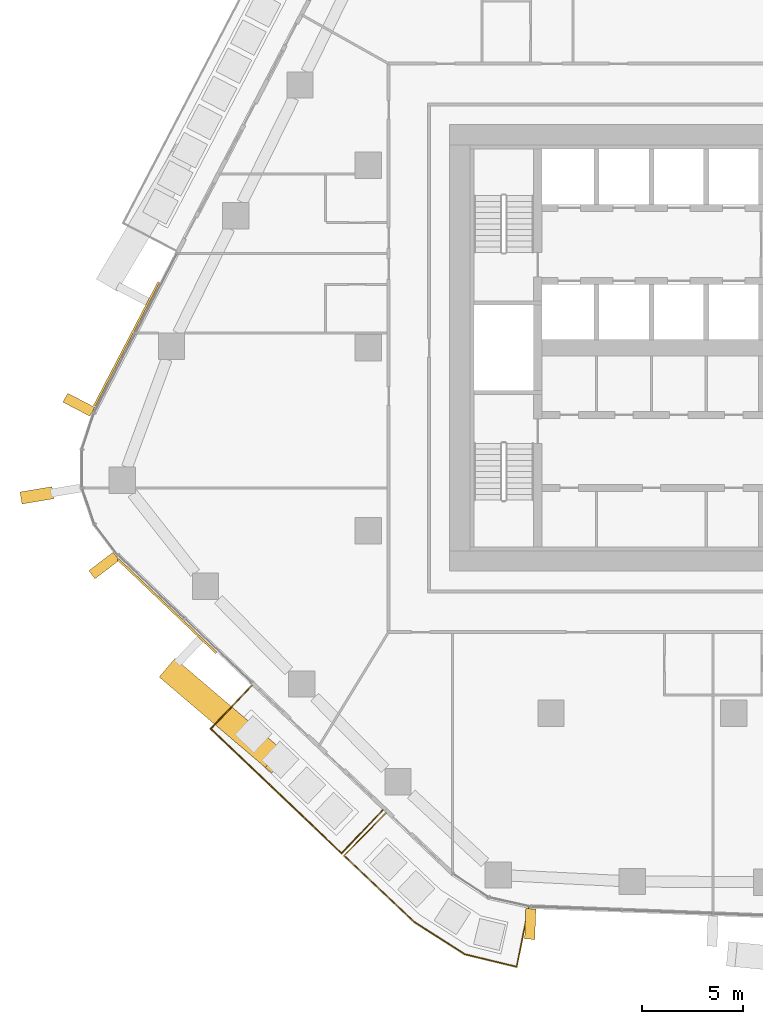
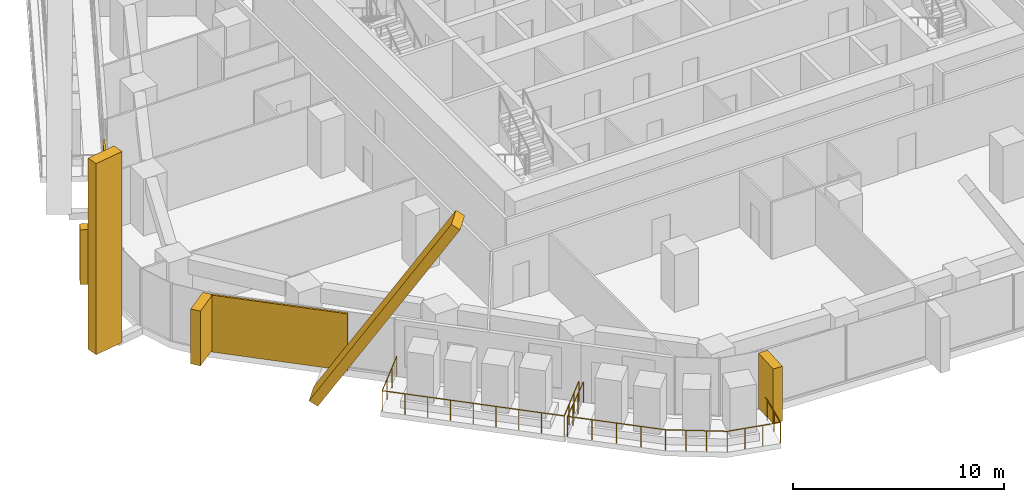
# One storey, part 18 of 24: 7 coverings, 2 railings, 4 elements without a shape of their own.
"""IFC4 building model written with IfcOpenShell, lengths in metres."""

from ifc_helpers import new_model, si_unit, direction, frame, origin, origin_2d, place, context, subcontext, project, spatial, rectangle, circle, extrude, material, layer, layer_set, material_profile, profile_set, type_object, element, aggregate, save


model = new_model("IFC4")

# Units and contexts
model_context = context("Model", 3, precision=1e-05, world=origin(), true_north=direction((0.0, 1.0)))
body_context = subcontext(model_context, "Body", "Model", "MODEL_VIEW")
ifc_project = project(units=[si_unit("LENGTHUNIT", "METRE"), si_unit("AREAUNIT", "SQUARE_METRE"), si_unit("VOLUMEUNIT", "CUBIC_METRE"), si_unit("PLANEANGLEUNIT", "RADIAN"), si_unit("MASSUNIT", "GRAM", prefix="KILO")], contexts=[model_context])

# Site, building, storey
site_placement = place(None, origin())
site = spatial("IfcSite", under=ifc_project, at=site_placement, CompositionType="ELEMENT")
building_placement = place(site_placement, origin())
building = spatial("IfcBuilding", under=site, at=building_placement, Name="Dongbaek Canopy Tower", CompositionType="ELEMENT")
storey_placement = place(building_placement, frame((0.0, 0.0, 128.5)))
storey = spatial("IfcBuildingStorey", under=building, at=storey_placement, Name="L28", CompositionType="ELEMENT", Elevation=128.5)

# Railings
ifc_material_1 = material(Name="Stainless steel", Category="steel")
railing_type = type_object("IfcRailingType", Name="Balcony balustrade 1200", PredefinedType="BALUSTRADE", material=ifc_material_1)
railing_1_placement = place(storey_placement, frame((-23.730712890625, -16.632568359375, 0.0)))
element("IfcRailing", 1, at=railing_1_placement, inside=storey, type_object=railing_type, Name="Balcony guard L28 3", PredefinedType="BALUSTRADE", context=body_context, shape_type="SweptSolid", body=[
    extrude(circle(Radius=0.02392578125, at=origin_2d()), frame((0.0, 0.0, 1.17578125), z_axis=(-0.689325404466, -0.724451852615, 0.0), x_axis=(0.724451852615, -0.689325404466, 0.0)), (0.0, 0.0, 1.0), 2.93994140625),
    extrude(circle(Radius=0.02392578125, at=origin_2d()), frame((-2.026611328125, -2.1298828125, 1.17578125), z_axis=(0.724466132489, -0.689310396611, 0.0), x_axis=(0.689310396611, 0.724466132489, 0.0)), (0.0, 0.0, 1.0), 8.89599609375),
    extrude(circle(Radius=0.02392578125, at=origin_2d()), frame((4.418212890625, -8.261962890625, 1.17578125), z_axis=(0.689283936438, 0.724491307725, 0.0), x_axis=(-0.724491307725, 0.689283936438, 0.0)), (0.0, 0.0, 1.0), 2.940185546875),
    extrude(circle(Radius=0.02099609375, at=origin_2d()), origin(), (0.0, 0.0, 1.0), 1.15185546875),
    extrude(circle(Radius=0.02099609375, at=origin_2d()), frame((-0.675537109375, -0.7099609375, 0.0)), (0.0, 0.0, 1.0), 1.15185546875),
    extrude(circle(Radius=0.02099609375, at=origin_2d()), frame((-1.35107421875, -1.419921875, 0.0)), (0.0, 0.0, 1.0), 1.15185546875),
    extrude(circle(Radius=0.02099609375, at=origin_2d()), frame((-2.026611328125, -2.1298828125, 0.0)), (0.0, 0.0, 1.0), 1.15185546875),
    extrude(circle(Radius=0.02099609375, at=origin_2d()), frame((-1.220947265625, -2.896484375, 0.0)), (0.0, 0.0, 1.0), 1.15185546875),
    extrude(circle(Radius=0.02099609375, at=origin_2d()), frame((-0.41552734375, -3.662841796875, 0.0)), (0.0, 0.0, 1.0), 1.15185546875),
    extrude(circle(Radius=0.02099609375, at=origin_2d()), frame((0.39013671875, -4.429443359375, 0.0)), (0.0, 0.0, 1.0), 1.15185546875),
    extrude(circle(Radius=0.02099609375, at=origin_2d()), frame((1.19580078125, -5.19580078125, 0.0)), (0.0, 0.0, 1.0), 1.15185546875),
    extrude(circle(Radius=0.02099609375, at=origin_2d()), frame((2.00146484375, -5.96240234375, 0.0)), (0.0, 0.0, 1.0), 1.15185546875),
    extrude(circle(Radius=0.02099609375, at=origin_2d()), frame((2.80712890625, -6.72900390625, 0.0)), (0.0, 0.0, 1.0), 1.15185546875),
    extrude(circle(Radius=0.02099609375, at=origin_2d()), frame((3.612548828125, -7.495361328125, 0.0)), (0.0, 0.0, 1.0), 1.15185546875),
    extrude(circle(Radius=0.02099609375, at=origin_2d()), frame((4.418212890625, -8.261962890625, 0.0)), (0.0, 0.0, 1.0), 1.15185546875),
    extrude(circle(Radius=0.02099609375, at=origin_2d()), frame((5.09375, -7.552001953125, 0.0)), (0.0, 0.0, 1.0), 1.15185546875),
    extrude(circle(Radius=0.02099609375, at=origin_2d()), frame((5.769287109375, -6.841796875, 0.0)), (0.0, 0.0, 1.0), 1.15185546875),
    extrude(circle(Radius=0.02099609375, at=origin_2d()), frame((6.44482421875, -6.1318359375, 0.0)), (0.0, 0.0, 1.0), 1.15185546875),
])
railing_2_placement = place(storey_placement, frame((-17.12646484375, -22.916259765625, 0.0)))
element("IfcRailing", 2, at=railing_2_placement, inside=storey, type_object=railing_type, Name="Balcony guard L28 7", PredefinedType="BALUSTRADE", context=body_context, shape_type="SweptSolid", body=[
    extrude(circle(Radius=0.02392578125, at=origin_2d()), frame((0.0, 0.0, 1.17578125), z_axis=(-0.703986411861, -0.710213441097, 0.0), x_axis=(0.710213441097, -0.703986411861, 0.0)), (0.0, 0.0, 1.0), 2.9404296875),
    extrude(circle(Radius=0.02392578125, at=origin_2d()), frame((-2.070068359375, -2.08837890625, 1.17578125), z_axis=(0.726177108042, -0.687507678325, 0.0), x_axis=(0.687507678325, 0.726177108042, 0.0)), (0.0, 0.0, 1.0), 4.77294921875),
    extrude(circle(Radius=0.02392578125, at=origin_2d()), frame((1.39599609375, -5.369873046875, 1.17578125), z_axis=(0.8430468965, -0.537840060149, 0.0), x_axis=(0.537840060149, 0.8430468965, 0.0)), (0.0, 0.0, 1.0), 2.947021484375),
    extrude(circle(Radius=0.02392578125, at=origin_2d()), frame((3.88037109375, -6.954833984375, 1.17578125), z_axis=(0.971990220517, -0.235021299503, 0.0), x_axis=(0.235021299503, 0.971990220517, 0.0)), (0.0, 0.0, 1.0), 2.63232421875),
    extrude(circle(Radius=0.02392578125, at=origin_2d()), frame((6.43896484375, -7.573486328125, 1.17578125), z_axis=(0.197345358097, 0.980334029623, 0.0), x_axis=(-0.980334029623, 0.197345358097, 0.0)), (0.0, 0.0, 1.0), 2.940673828125),
    extrude(circle(Radius=0.02099609375, at=origin_2d()), origin(), (0.0, 0.0, 1.0), 1.15185546875),
    extrude(circle(Radius=0.02099609375, at=origin_2d()), frame((-0.68994140625, -0.696044921875, 0.0)), (0.0, 0.0, 1.0), 1.15185546875),
    extrude(circle(Radius=0.02099609375, at=origin_2d()), frame((-1.380126953125, -1.392333984375, 0.0)), (0.0, 0.0, 1.0), 1.15185546875),
    extrude(circle(Radius=0.02099609375, at=origin_2d()), frame((-2.070068359375, -2.08837890625, 0.0)), (0.0, 0.0, 1.0), 1.15185546875),
    extrude(circle(Radius=0.02099609375, at=origin_2d()), frame((-1.20361328125, -2.90869140625, 0.0)), (0.0, 0.0, 1.0), 1.15185546875),
    extrude(circle(Radius=0.02099609375, at=origin_2d()), frame((-0.3369140625, -3.72900390625, 0.0)), (0.0, 0.0, 1.0), 1.15185546875),
    extrude(circle(Radius=0.02099609375, at=origin_2d()), frame((0.529541015625, -4.549560546875, 0.0)), (0.0, 0.0, 1.0), 1.15185546875),
    extrude(circle(Radius=0.02099609375, at=origin_2d()), frame((1.39599609375, -5.369873046875, 0.0)), (0.0, 0.0, 1.0), 1.15185546875),
    extrude(circle(Radius=0.02099609375, at=origin_2d()), frame((2.22412109375, -5.898193359375, 0.0)), (0.0, 0.0, 1.0), 1.15185546875),
    extrude(circle(Radius=0.02099609375, at=origin_2d()), frame((3.05224609375, -6.426513671875, 0.0)), (0.0, 0.0, 1.0), 1.15185546875),
    extrude(circle(Radius=0.02099609375, at=origin_2d()), frame((3.88037109375, -6.954833984375, 0.0)), (0.0, 0.0, 1.0), 1.15185546875),
    extrude(circle(Radius=0.02099609375, at=origin_2d()), frame((4.733154296875, -7.1611328125, 0.0)), (0.0, 0.0, 1.0), 1.15185546875),
    extrude(circle(Radius=0.02099609375, at=origin_2d()), frame((5.586181640625, -7.3671875, 0.0)), (0.0, 0.0, 1.0), 1.15185546875),
    extrude(circle(Radius=0.02099609375, at=origin_2d()), frame((6.43896484375, -7.573486328125, 0.0)), (0.0, 0.0, 1.0), 1.15185546875),
    extrude(circle(Radius=0.02099609375, at=origin_2d()), frame((6.63232421875, -6.612548828125, 0.0)), (0.0, 0.0, 1.0), 1.15185546875),
    extrude(circle(Radius=0.02099609375, at=origin_2d()), frame((6.825927734375, -5.651611328125, 0.0)), (0.0, 0.0, 1.0), 1.15185546875),
    extrude(circle(Radius=0.02099609375, at=origin_2d()), frame((7.019287109375, -4.690673828125, 0.0)), (0.0, 0.0, 1.0), 1.15185546875),
])

# Curtain wall, covering
ifc_material_2 = material(Name="Aluminium 6063-T6 pale anodised", Category="aluminium")
ifc_layer_1 = layer(ifc_material_2, 0.199951171875)
ifc_layer_set_1 = layer_set([ifc_layer_1], Name="CW-1 unitised tower curtain wall")
curtain_wall_type = type_object("IfcCurtainWallType", Name="CW-1 unitised tower curtain wall", PredefinedType="NOTDEFINED", material=ifc_layer_set_1)
curtain_wall_1_placement = place(storey_placement, origin())
curtain_wall_1 = element("IfcCurtainWall", 3, at=curtain_wall_1_placement, inside=storey, type_object=curtain_wall_type, Name="CW-1 curtain wall K3.1", PredefinedType="NOTDEFINED")
ifc_material_3 = material(Name="Aluminium 6063-T6 pale metal fin", Category="aluminium")
ifc_material_profile_1 = material_profile(ifc_material_3, rectangle(XDim=1.60009765625, YDim=0.60009765625, at=origin_2d()), Name="Corner fin CN1 600 x 1600 pale metal")
ifc_profile_set_1 = profile_set([ifc_material_profile_1], Name="Aluminium 6063-T6 pale metal fin")
covering_type_1 = type_object("IfcCoveringType", Name="Corner fin CN1 600 x 1600 pale metal", PredefinedType="CLADDING", material=ifc_profile_set_1)
covering_1_placement = place(storey_placement, frame((-34.318115234375, -7.265380859375, -0.199951171875), z_axis=(0.0, 0.0, 1.0), x_axis=(-0.986408330282, -0.164312525236, 0.0)))
covering_1 = element("IfcCovering", 4, at=covering_1_placement, type_object=covering_type_1, Name="Corner fin L28 L30 K3", PredefinedType="CLADDING", context=body_context, shape_type="SweptSolid", body=[
    extrude(rectangle(XDim=1.60009765625, YDim=0.60009765625, at=origin_2d()), origin(), (0.0, 0.0, 1.0), 11.079833984375),
])

curtain_wall_2_placement = place(storey_placement, origin())
curtain_wall_2 = element("IfcCurtainWall", 5, at=curtain_wall_2_placement, inside=storey, type_object=curtain_wall_type, Name="CW-1 curtain wall F3.1", PredefinedType="NOTDEFINED")
ifc_material_4 = material(Name="Aluminium 6063-T6 pale metal fin", Category="aluminium")
ifc_material_profile_2 = material_profile(ifc_material_4, rectangle(XDim=1.199951171875, YDim=0.5, at=origin_2d()), Name="Crease fin CF1 500 x 1200 pale metal")
ifc_profile_set_2 = profile_set([ifc_material_profile_2], Name="Aluminium 6063-T6 pale metal fin")
covering_type_2 = type_object("IfcCoveringType", Name="Crease fin CF1 500 x 1200 pale metal", PredefinedType="CLADDING", material=ifc_profile_set_2)
covering_2_placement = place(storey_placement, frame((-27.7509765625, -15.8955078125, -0.199951171875), z_axis=(0.400699726639, -0.341399832432, 0.850226959986), x_axis=(0.648535835873, 0.761184123316, 0.0)))
covering_2 = element("IfcCovering", 6, at=covering_2_placement, type_object=covering_type_2, Name="Crease fin L28 L31 F3", PredefinedType="CLADDING", context=body_context, shape_type="SweptSolid", body=[
    extrude(rectangle(XDim=1.199951171875, YDim=0.5, at=origin_2d()), origin(), (0.0, 0.0, 1.0), 13.05517578125),
])

curtain_wall_3_placement = place(storey_placement, origin())
curtain_wall_3 = element("IfcCurtainWall", 7, at=curtain_wall_3_placement, inside=storey, type_object=curtain_wall_type, Name="CW-1 curtain wall F2.1", PredefinedType="NOTDEFINED")
ifc_material_5 = material(Name="Perforated aluminium 6063-T6 pale metal screen", Category="aluminium")
ifc_layer_2 = layer(ifc_material_5, 0.10009765625)
ifc_layer_set_2 = layer_set([ifc_layer_2], Name="Facet screen FS1 100 pale metal")
covering_type_3 = type_object("IfcCoveringType", Name="Facet screen FS1 100 pale metal", PredefinedType="CLADDING", material=ifc_layer_set_2)
covering_3_placement = place(storey_placement, frame((-29.91162109375, 0.187255859375, 0.0), z_axis=(0.0, 0.0, 1.0), x_axis=(-0.461909610727, -0.886927004617, 0.0)))
covering_3 = element("IfcCovering", 8, at=covering_3_placement, type_object=covering_type_3, Name="Facet screen L28 F2", PredefinedType="CLADDING", context=body_context, shape_type="SweptSolid", body=[
    extrude(rectangle(XDim=6.892333984375, YDim=0.10009765625, at=origin_2d()), origin(), (0.0, 0.0, 1.0), 3.300048828125),
])

# Covering
covering_4_placement = place(storey_placement, frame((-27.90771484375, -12.7216796875, 0.0), z_axis=(0.0, 0.0, 1.0), x_axis=(0.724473898843, -0.689302234071, 0.0)))
covering_4 = element("IfcCovering", 9, at=covering_4_placement, type_object=covering_type_3, Name="Facet screen L28 F3", PredefinedType="CLADDING", context=body_context, shape_type="SweptSolid", body=[
    extrude(rectangle(XDim=6.6845703125, YDim=0.10009765625, at=origin_2d()), origin(), (0.0, 0.0, 1.0), 3.300048828125),
])

aggregate(curtain_wall_2, [covering_2, covering_4])

ifc_material_6 = material(Name="Aluminium 6063-T6 pale metal fin", Category="aluminium")
ifc_material_profile_3 = material_profile(ifc_material_6, rectangle(XDim=1.5, YDim=0.5, at=origin_2d()), Name="Fin FN1 500 x 1500 pale metal")
ifc_profile_set_3 = profile_set([ifc_material_profile_3], Name="Aluminium 6063-T6 pale metal fin")
covering_type_4 = type_object("IfcCoveringType", Name="Fin FN1 500 x 1500 pale metal", PredefinedType="CLADDING", material=ifc_profile_set_3)
covering_5_placement = place(storey_placement, frame((-32.26171875, -2.80126953125, 0.1201171875), z_axis=(0.0, 0.0, 1.0), x_axis=(-0.886926731215, 0.461910135693, 0.0)))
covering_5 = element("IfcCovering", 10, at=covering_5_placement, type_object=covering_type_4, Name="Fin F2.1.3", PredefinedType="CLADDING", context=body_context, shape_type="SweptSolid", body=[
    extrude(rectangle(XDim=1.5, YDim=0.5, at=origin_2d()), origin(), (0.0, 0.0, 1.0), 3.179931640625),
])

aggregate(curtain_wall_3, [covering_5, covering_3])

covering_6_placement = place(storey_placement, frame((-31.01708984375, -10.719970703125, 0.1201171875), z_axis=(0.0, 0.0, 1.0), x_axis=(-0.796707337317, -0.604365302334, 0.0)))
covering_6 = element("IfcCovering", 11, at=covering_6_placement, type_object=covering_type_4, Name="Fin K3.1.5", PredefinedType="CLADDING", context=body_context, shape_type="SweptSolid", body=[
    extrude(rectangle(XDim=1.5, YDim=0.5, at=origin_2d()), origin(), (0.0, 0.0, 1.0), 3.179931640625),
])

aggregate(curtain_wall_1, [covering_6, covering_1])

# Curtain wall, covering
curtain_wall_4_placement = place(storey_placement, origin())
curtain_wall_4 = element("IfcCurtainWall", 12, at=curtain_wall_4_placement, inside=storey, type_object=curtain_wall_type, Name="CW-1 curtain wall F4.1", PredefinedType="NOTDEFINED")
covering_7_placement = place(storey_placement, frame((-10.019775390625, -28.380615234375, 0.1201171875), z_axis=(0.0, 0.0, 1.0), x_axis=(-0.038587229989, -0.999255235504, 0.0)))
covering_7 = element("IfcCovering", 13, at=covering_7_placement, type_object=covering_type_4, Name="Fin F4.1.1", PredefinedType="CLADDING", context=body_context, shape_type="SweptSolid", body=[
    extrude(rectangle(XDim=1.5, YDim=0.5, at=origin_2d()), origin(), (0.0, 0.0, 1.0), 3.179931640625),
])
aggregate(curtain_wall_4, [covering_7])

save(model, "model.ifc")
